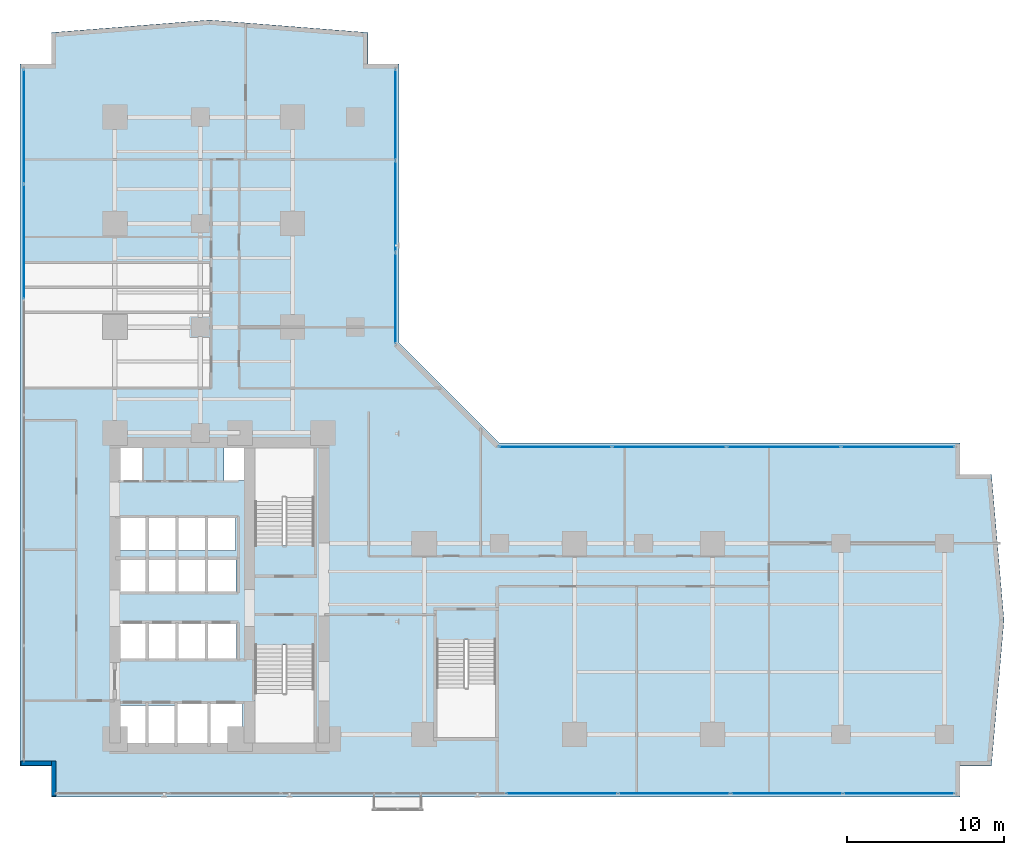
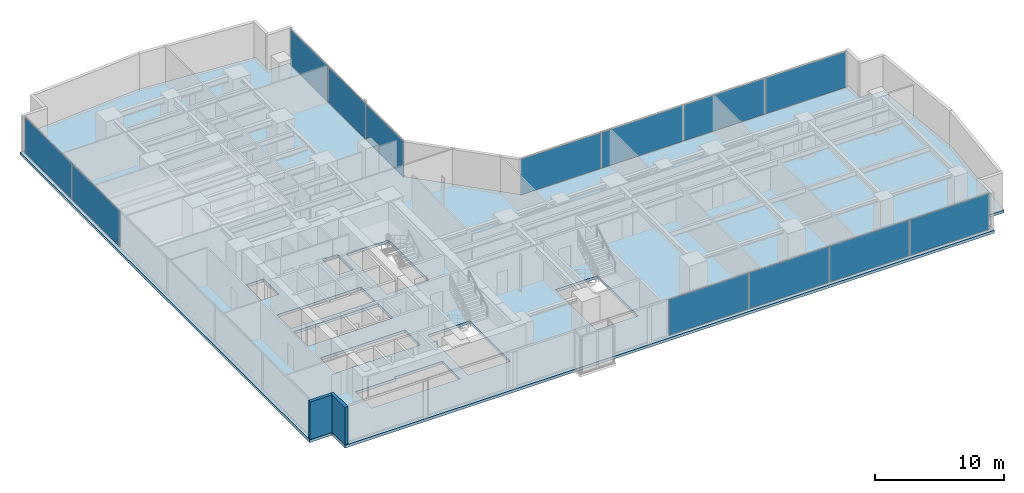
# One storey, part 21 of 26: 13 plates, 2 walls, 1 slab, 4 elements without a shape of their own.
"""IFC4 building model written with IfcOpenShell, lengths in metres."""

from ifc_helpers import new_model, si_unit, direction, frame, frame_2d, origin, origin_with_axes, origin_2d, place, context, subcontext, project, spatial, polyline, rectangle, outline, extrude, source, transform, mapped, material, layer, layer_set, type_object, element, aggregate, save


model = new_model("IFC4")

# Units and contexts
model_context = context("Model", 3, precision=1e-05, world=origin(), true_north=direction((0.0, 1.0)))
body_context = subcontext(model_context, "Body", "Model", "MODEL_VIEW")
ifc_project = project(units=[si_unit("LENGTHUNIT", "METRE"), si_unit("AREAUNIT", "SQUARE_METRE"), si_unit("VOLUMEUNIT", "CUBIC_METRE"), si_unit("PLANEANGLEUNIT", "RADIAN"), si_unit("MASSUNIT", "GRAM", prefix="KILO")], contexts=[model_context])

# Site, building, storey
site_placement = place(None, origin())
site = spatial("IfcSite", under=ifc_project, at=site_placement, CompositionType="ELEMENT")
building_placement = place(site_placement, origin())
building = spatial("IfcBuilding", under=site, at=building_placement, Name="Kolvaren Waterfront Exchange", CompositionType="ELEMENT")
storey_placement = place(building_placement, frame((0.0, 0.0, 44.800048828125)))
storey = spatial("IfcBuildingStorey", under=building, at=storey_placement, Name="L11", CompositionType="ELEMENT", Elevation=44.800048828125)

# Slab
ifc_material_1 = material(Name="Concrete C40/50", Category="concrete")
ifc_layer_1 = layer(ifc_material_1, 0.260009765625, Name="Concrete C40/50")
ifc_layer_set_1 = layer_set([ifc_layer_1], Name="Concrete C40/50")
slab_type = type_object("IfcSlabType", Name="STR-SLAB-260", PredefinedType="FLOOR", material=ifc_layer_set_1)
slab_placement = place(storey_placement, frame((0.0, 0.0, -0.260009765625)))
element("IfcSlab", 1, at=slab_placement, inside=storey, type_object=slab_type, Name="L11 structural floor slab", PredefinedType="FLOOR", context=body_context, shape_type="SweptSolid", body=[
    extrude(outline(polyline([(3.39990234375, 1.199951171875), (61.39990234375, 1.199951171875), (61.39990234375, 3.199951171875), (63.39990234375, 3.199951171875), (64.199951171875, 12.5), (63.39990234375, 21.800048828125), (61.39990234375, 21.800048828125), (61.39990234375, 23.800048828125), (32.0, 23.800048828125), (25.60009765625, 30.199951171875), (25.60009765625, 48.0), (23.60009765625, 48.0), (23.60009765625, 50.0), (13.5, 50.800048828125), (3.39990234375, 50.0), (3.39990234375, 48.0), (1.39990234375, 48.0), (1.39990234375, 3.199951171875), (3.39990234375, 3.199951171875), (3.39990234375, 1.199951171875)]), holes=[polyline([(11.320068359375, 7.260009765625), (15.610107421875, 7.260009765625), (15.610107421875, 4.5400390625), (7.719970703125, 4.5400390625), (7.719970703125, 7.06005859375), (11.320068359375, 7.06005859375), (11.320068359375, 7.260009765625)]), polyline([(20.159912109375, 4.64990234375), (16.39990234375, 4.64990234375), (16.39990234375, 10.89990234375), (20.159912109375, 10.89990234375), (20.159912109375, 4.64990234375)]), polyline([(31.760009765625, 5.0), (28.0, 5.0), (28.0, 11.25), (31.760009765625, 11.25), (31.760009765625, 5.0)]), polyline([(15.2099609375, 10.0400390625), (7.6201171875, 10.0400390625), (7.6201171875, 12.360107421875), (15.2099609375, 12.360107421875), (15.2099609375, 10.0400390625)]), polyline([(7.64501953125, 16.4599609375), (15.18505859375, 16.4599609375), (15.18505859375, 14.239990234375), (7.64501953125, 14.239990234375), (7.64501953125, 16.4599609375)]), polyline([(15.159912109375, 16.93994140625), (7.669921875, 16.93994140625), (7.669921875, 19.06005859375), (15.159912109375, 19.06005859375), (15.159912109375, 16.93994140625)]), polyline([(16.39990234375, 23.5), (20.159912109375, 23.5), (20.159912109375, 17.25), (16.39990234375, 17.25), (16.39990234375, 23.5)]), polyline([(7.60009765625, 23.780029296875), (9.179931640625, 23.780029296875), (9.179931640625, 21.419921875), (7.60009765625, 21.419921875), (7.60009765625, 23.780029296875)]), polyline([(15.800048828125, 23.780029296875), (15.800048828125, 21.419921875), (14.419921875, 21.419921875), (14.419921875, 23.780029296875), (15.800048828125, 23.780029296875)])]), origin(), (0.0, 0.0, 1.0), 0.260009765625),
])

# Curtain wall, plates
ifc_material_2 = material(Name="Anodised bronze aluminium 6063-T6", Category="aluminium")
ifc_layer_2 = layer(ifc_material_2, 0.219970703125, Name="Anodised bronze aluminium 6063-T6")
ifc_layer_set_2 = layer_set([ifc_layer_2], Name="Anodised bronze aluminium 6063-T6")
curtain_wall_type_1 = type_object("IfcCurtainWallType", Name="ARC-CW-SYS1", PredefinedType="USERDEFINED", material=ifc_layer_set_2)
curtain_wall_1_placement = place(storey_placement, origin())
curtain_wall_1 = element("IfcCurtainWall", 2, at=curtain_wall_1_placement, inside=storey, type_object=curtain_wall_type_1, Name="L11 stick curtain wall CW1 (CW-L11-S)", ObjectType="STICK CURTAIN WALL", PredefinedType="USERDEFINED")
ifc_material_3 = material(Name="Bronze solar control vision glass", Category="aluminium")
ifc_layer_3 = layer(ifc_material_3, 0.028076171875, Name="Bronze solar control vision glass")
ifc_layer_set_3 = layer_set([ifc_layer_3], Name="Bronze solar control vision glass")
plate_type_1 = type_object("IfcPlateType", Name="ARC-CWP-28", PredefinedType="CURTAIN_PANEL", material=ifc_layer_set_3)
shared_shape_1 = source(origin_with_axes(), body_context, "Body", "SweptSolid", [
    extrude(rectangle(XDim=7.054931640625, YDim=0.028076171875, at=origin_2d()), origin(), (0.0, 0.0, 1.0), 3.389892578125),
])
plate_1_placement = place(storey_placement, frame((57.492431640625, 1.43994140625, 0.0751953125), z_axis=(0.0, 0.0, 1.0), x_axis=(1.0, 0.0, 0.0)))
plate_1 = element("IfcPlate", 3, at=plate_1_placement, type_object=plate_type_1, Name="CW1 panel 8.1", PredefinedType="CURTAIN_PANEL", context=body_context, shape_type="MappedRepresentation", body=[
    mapped(shared_shape_1, transform((0.0, 0.0, 0.0), x_axis=(1.0, 0.0, 0.0), y_axis=(0.0, 1.0, 0.0), z_axis=(0.0, 0.0, 1.0), scale=1.0)),
])
shared_shape_2 = source(origin_with_axes(), body_context, "Body", "SweptSolid", [
    extrude(rectangle(XDim=7.094970703125, YDim=0.028076171875, at=origin_2d()), origin(), (0.0, 0.0, 1.0), 3.389892578125),
])
plate_2_placement = place(storey_placement, frame((35.987548828125, 1.43994140625, 0.0751953125), z_axis=(0.0, 0.0, 1.0), x_axis=(1.0, 0.0, 0.0)))
plate_2 = element("IfcPlate", 4, at=plate_2_placement, type_object=plate_type_1, Name="CW1 panel 5.1", PredefinedType="CURTAIN_PANEL", context=body_context, shape_type="MappedRepresentation", body=[
    mapped(shared_shape_2, transform((0.0, 0.0, 0.0), x_axis=(1.0, 0.0, 0.0), y_axis=(0.0, 1.0, 0.0), z_axis=(0.0, 0.0, 1.0), scale=1.0)),
])
plate_3_placement = place(storey_placement, frame((43.16259765625, 1.43994140625, 0.0751953125), z_axis=(0.0, 0.0, 1.0), x_axis=(1.0, 0.0, 0.0)))
plate_3 = element("IfcPlate", 5, at=plate_3_placement, type_object=plate_type_1, Name="CW1 panel 6.1", PredefinedType="CURTAIN_PANEL", context=body_context, shape_type="MappedRepresentation", body=[
    mapped(shared_shape_2, transform((0.0, 0.0, 0.0), x_axis=(1.0, 0.0, 0.0), y_axis=(0.0, 1.0, 0.0), z_axis=(0.0, 0.0, 1.0), scale=1.0)),
])
plate_4_placement = place(storey_placement, frame((50.33740234375, 1.43994140625, 0.0751953125), z_axis=(0.0, 0.0, 1.0), x_axis=(1.0, 0.0, 0.0)))
plate_4 = element("IfcPlate", 6, at=plate_4_placement, type_object=plate_type_1, Name="CW1 panel 7.1", PredefinedType="CURTAIN_PANEL", context=body_context, shape_type="MappedRepresentation", body=[
    mapped(shared_shape_2, transform((0.0, 0.0, 0.0), x_axis=(1.0, 0.0, 0.0), y_axis=(0.0, 1.0, 0.0), z_axis=(0.0, 0.0, 1.0), scale=1.0)),
])
aggregate(curtain_wall_1, [plate_2, plate_3, plate_4, plate_1])

ifc_material_4 = material(Name="Anodised aluminium 6063-T6", Category="aluminium")
ifc_layer_4 = layer(ifc_material_4, 0.219970703125, Name="Anodised aluminium 6063-T6")
ifc_layer_set_4 = layer_set([ifc_layer_4], Name="Anodised aluminium 6063-T6")
curtain_wall_type_2 = type_object("IfcCurtainWallType", Name="ARC-CW-SYS2", PredefinedType="USERDEFINED", material=ifc_layer_set_4)
curtain_wall_2_placement = place(storey_placement, origin())
curtain_wall_2 = element("IfcCurtainWall", 7, at=curtain_wall_2_placement, inside=storey, type_object=curtain_wall_type_2, Name="L11 stick curtain wall CW2 (CW-L11-W)", ObjectType="STICK CURTAIN WALL", PredefinedType="USERDEFINED")
ifc_material_5 = material(Name="Acoustic laminated vision glass", Category="glass")
ifc_layer_5 = layer(ifc_material_5, 0.031982421875, Name="Acoustic laminated vision glass")
ifc_layer_set_5 = layer_set([ifc_layer_5], Name="Acoustic laminated vision glass")
plate_type_2 = type_object("IfcPlateType", Name="ARC-CWP-32", PredefinedType="CURTAIN_PANEL", material=ifc_layer_set_5)
shared_shape_3 = source(origin_with_axes(), body_context, "Body", "SweptSolid", [
    extrude(rectangle(XDim=7.24658203125, YDim=0.031982421875, at=origin_2d()), origin(), (0.0, 0.0, 1.0), 3.389892578125),
])
plate_5_placement = place(storey_placement, frame((1.639892578125, 43.99658203125, 0.0751953125), z_axis=(0.0, 0.0, 1.0), x_axis=(0.0, 1.0, 0.0)))
plate_5 = element("IfcPlate", 8, at=plate_5_placement, type_object=plate_type_2, Name="CW2 panel 6.1", PredefinedType="CURTAIN_PANEL", context=body_context, shape_type="MappedRepresentation", body=[
    mapped(shared_shape_3, transform((0.0, 0.0, 0.0), x_axis=(1.0, 0.0, 0.0), y_axis=(0.0, 1.0, 0.0), z_axis=(0.0, 0.0, 1.0), scale=1.0)),
])
shared_shape_4 = source(origin_with_axes(), body_context, "Body", "SweptSolid", [
    extrude(rectangle(XDim=7.28662109375, YDim=0.031982421875, at=origin_2d()), origin(), (0.0, 0.0, 1.0), 3.389892578125),
])
plate_6_placement = place(storey_placement, frame((1.639892578125, 36.64990234375, 0.0751953125), z_axis=(0.0, 0.0, 1.0), x_axis=(0.0, 1.0, 0.0)))
plate_6 = element("IfcPlate", 9, at=plate_6_placement, type_object=plate_type_2, Name="CW2 panel 5.1", PredefinedType="CURTAIN_PANEL", context=body_context, shape_type="MappedRepresentation", body=[
    mapped(shared_shape_4, transform((0.0, 0.0, 0.0), x_axis=(1.0, 0.0, 0.0), y_axis=(0.0, 1.0, 0.0), z_axis=(0.0, 0.0, 1.0), scale=1.0)),
])
aggregate(curtain_wall_2, [plate_6, plate_5])

curtain_wall_3_placement = place(storey_placement, origin())
curtain_wall_3 = element("IfcCurtainWall", 10, at=curtain_wall_3_placement, inside=storey, type_object=curtain_wall_type_1, Name="L11 stick curtain wall CW1 (CW-L11-NE)", ObjectType="STICK CURTAIN WALL", PredefinedType="USERDEFINED")
shared_shape_5 = source(origin_with_axes(), body_context, "Body", "SweptSolid", [
    extrude(rectangle(XDim=5.75, YDim=0.028076171875, at=origin_2d()), origin(), (0.0, 0.0, 1.0), 3.389892578125),
])
plate_7_placement = place(storey_placement, frame((25.360107421875, 33.044921875, 0.0751953125), z_axis=(0.0, 0.0, 1.0), x_axis=(0.0, 1.0, 0.0)))
plate_7 = element("IfcPlate", 11, at=plate_7_placement, type_object=plate_type_1, Name="CW1 panel 1.1", PredefinedType="CURTAIN_PANEL", context=body_context, shape_type="MappedRepresentation", body=[
    mapped(shared_shape_5, transform((0.0, 0.0, 0.0), x_axis=(1.0, 0.0, 0.0), y_axis=(0.0, 1.0, 0.0), z_axis=(0.0, 0.0, 1.0), scale=1.0)),
])
plate_8_placement = place(storey_placement, frame((25.360107421875, 44.7451171875, 0.0751953125), z_axis=(0.0, 0.0, 1.0), x_axis=(0.0, 1.0, 0.0)))
plate_8 = element("IfcPlate", 12, at=plate_8_placement, type_object=plate_type_1, Name="CW1 panel 3.1", PredefinedType="CURTAIN_PANEL", context=body_context, shape_type="MappedRepresentation", body=[
    mapped(shared_shape_5, transform((0.0, 0.0, 0.0), x_axis=(1.0, 0.0, 0.0), y_axis=(0.0, 1.0, 0.0), z_axis=(0.0, 0.0, 1.0), scale=1.0)),
])
shared_shape_6 = source(origin_with_axes(), body_context, "Body", "SweptSolid", [
    extrude(rectangle(XDim=5.7900390625, YDim=0.028076171875, at=origin_2d()), origin(), (0.0, 0.0, 1.0), 3.389892578125),
])
plate_9_placement = place(storey_placement, frame((25.360107421875, 38.89501953125, 0.0751953125), z_axis=(0.0, 0.0, 1.0), x_axis=(0.0, 1.0, 0.0)))
plate_9 = element("IfcPlate", 13, at=plate_9_placement, type_object=plate_type_1, Name="CW1 panel 2.1", PredefinedType="CURTAIN_PANEL", context=body_context, shape_type="MappedRepresentation", body=[
    mapped(shared_shape_6, transform((0.0, 0.0, 0.0), x_axis=(1.0, 0.0, 0.0), y_axis=(0.0, 1.0, 0.0), z_axis=(0.0, 0.0, 1.0), scale=1.0)),
])
aggregate(curtain_wall_3, [plate_7, plate_9, plate_8])

curtain_wall_4_placement = place(storey_placement, origin())
curtain_wall_4 = element("IfcCurtainWall", 14, at=curtain_wall_4_placement, inside=storey, type_object=curtain_wall_type_1, Name="L11 stick curtain wall CW1 (CW-L11-EN)", ObjectType="STICK CURTAIN WALL", PredefinedType="USERDEFINED")
shared_shape_7 = source(origin_with_axes(), body_context, "Body", "SweptSolid", [
    extrude(rectangle(XDim=7.1826171875, YDim=0.028076171875, at=origin_2d()), origin(), (0.0, 0.0, 1.0), 3.389892578125),
])
plate_10_placement = place(storey_placement, frame((35.561279296875, 23.56005859375, 0.0751953125), z_axis=(0.0, 0.0, 1.0), x_axis=(1.0, 0.0, 0.0)))
plate_10 = element("IfcPlate", 15, at=plate_10_placement, type_object=plate_type_1, Name="CW1 panel 1.1", PredefinedType="CURTAIN_PANEL", context=body_context, shape_type="MappedRepresentation", body=[
    mapped(shared_shape_7, transform((0.0, 0.0, 0.0), x_axis=(1.0, 0.0, 0.0), y_axis=(0.0, 1.0, 0.0), z_axis=(0.0, 0.0, 1.0), scale=1.0)),
])
plate_11_placement = place(storey_placement, frame((57.4287109375, 23.56005859375, 0.0751953125), z_axis=(0.0, 0.0, 1.0), x_axis=(1.0, 0.0, 0.0)))
plate_11 = element("IfcPlate", 16, at=plate_11_placement, type_object=plate_type_1, Name="CW1 panel 4.1", PredefinedType="CURTAIN_PANEL", context=body_context, shape_type="MappedRepresentation", body=[
    mapped(shared_shape_7, transform((0.0, 0.0, 0.0), x_axis=(1.0, 0.0, 0.0), y_axis=(0.0, 1.0, 0.0), z_axis=(0.0, 0.0, 1.0), scale=1.0)),
])
shared_shape_8 = source(origin_with_axes(), body_context, "Body", "SweptSolid", [
    extrude(rectangle(XDim=7.222412109375, YDim=0.028076171875, at=origin_2d()), origin(), (0.0, 0.0, 1.0), 3.389892578125),
])
plate_12_placement = place(storey_placement, frame((42.84375, 23.56005859375, 0.0751953125), z_axis=(0.0, 0.0, 1.0), x_axis=(1.0, 0.0, 0.0)))
plate_12 = element("IfcPlate", 17, at=plate_12_placement, type_object=plate_type_1, Name="CW1 panel 2.1", PredefinedType="CURTAIN_PANEL", context=body_context, shape_type="MappedRepresentation", body=[
    mapped(shared_shape_8, transform((0.0, 0.0, 0.0), x_axis=(1.0, 0.0, 0.0), y_axis=(0.0, 1.0, 0.0), z_axis=(0.0, 0.0, 1.0), scale=1.0)),
])
plate_13_placement = place(storey_placement, frame((50.146240234375, 23.56005859375, 0.0751953125), z_axis=(0.0, 0.0, 1.0), x_axis=(1.0, 0.0, 0.0)))
plate_13 = element("IfcPlate", 18, at=plate_13_placement, type_object=plate_type_1, Name="CW1 panel 3.1", PredefinedType="CURTAIN_PANEL", context=body_context, shape_type="MappedRepresentation", body=[
    mapped(shared_shape_8, transform((0.0, 0.0, 0.0), x_axis=(1.0, 0.0, 0.0), y_axis=(0.0, 1.0, 0.0), z_axis=(0.0, 0.0, 1.0), scale=1.0)),
])
aggregate(curtain_wall_4, [plate_10, plate_12, plate_13, plate_11])

# Walls
ifc_material_6 = material(Name="Precast concrete C40/50", Category="concrete")
ifc_layer_6 = layer(ifc_material_6, 0.280029296875, Name="Precast concrete C40/50")
ifc_layer_set_6 = layer_set([ifc_layer_6], Name="Precast concrete C40/50")
wall_type = type_object("IfcWallType", Name="ARC-EXT-TERR-280", PredefinedType="SOLIDWALL", material=ifc_layer_set_6)
wall_1_placement = place(storey_placement, frame((3.56005859375, 1.260009765625, 0.0), z_axis=(0.0, 0.0, 1.0), x_axis=(0.0, 1.0, 0.0)))
element("IfcWall", 19, at=wall_1_placement, inside=storey, type_object=wall_type, Name="L11 notched corner spandrel pier SW-A", PredefinedType="SOLIDWALL", context=body_context, shape_type="SweptSolid", body=[
    extrude(rectangle(XDim=2.239990234375, YDim=0.280029296875, at=frame_2d((1.1201171875, 0.0))), origin(), (0.0, 0.0, 1.0), 3.5400390625),
])
wall_2_placement = place(storey_placement, frame((1.4599609375, 3.360107421875, 0.0), z_axis=(0.0, 0.0, 1.0), x_axis=(1.0, 0.0, 0.0)))
element("IfcWall", 20, at=wall_2_placement, inside=storey, type_object=wall_type, Name="L11 notched corner spandrel pier SW-B", PredefinedType="SOLIDWALL", context=body_context, shape_type="SweptSolid", body=[
    extrude(rectangle(XDim=1.9599609375, YDim=0.280029296875, at=frame_2d((0.97998046875, 0.0))), origin(), (0.0, 0.0, 1.0), 3.5400390625),
])

save(model, "model.ifc")
